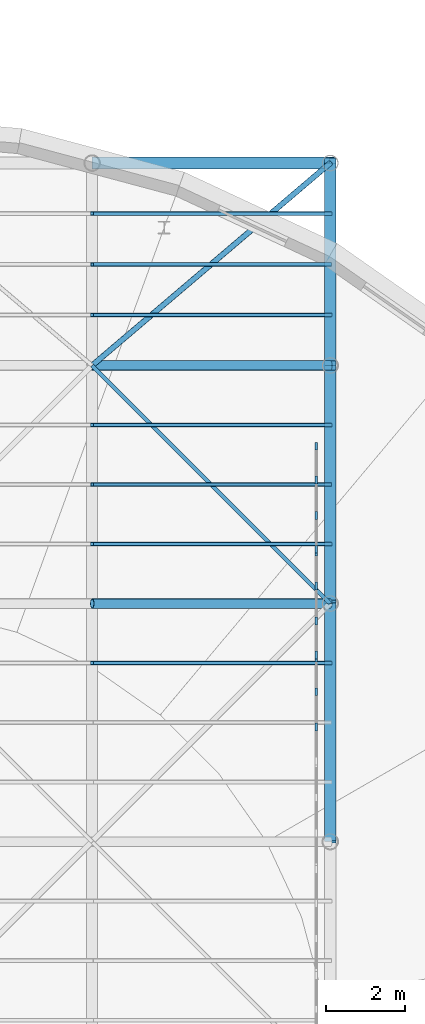
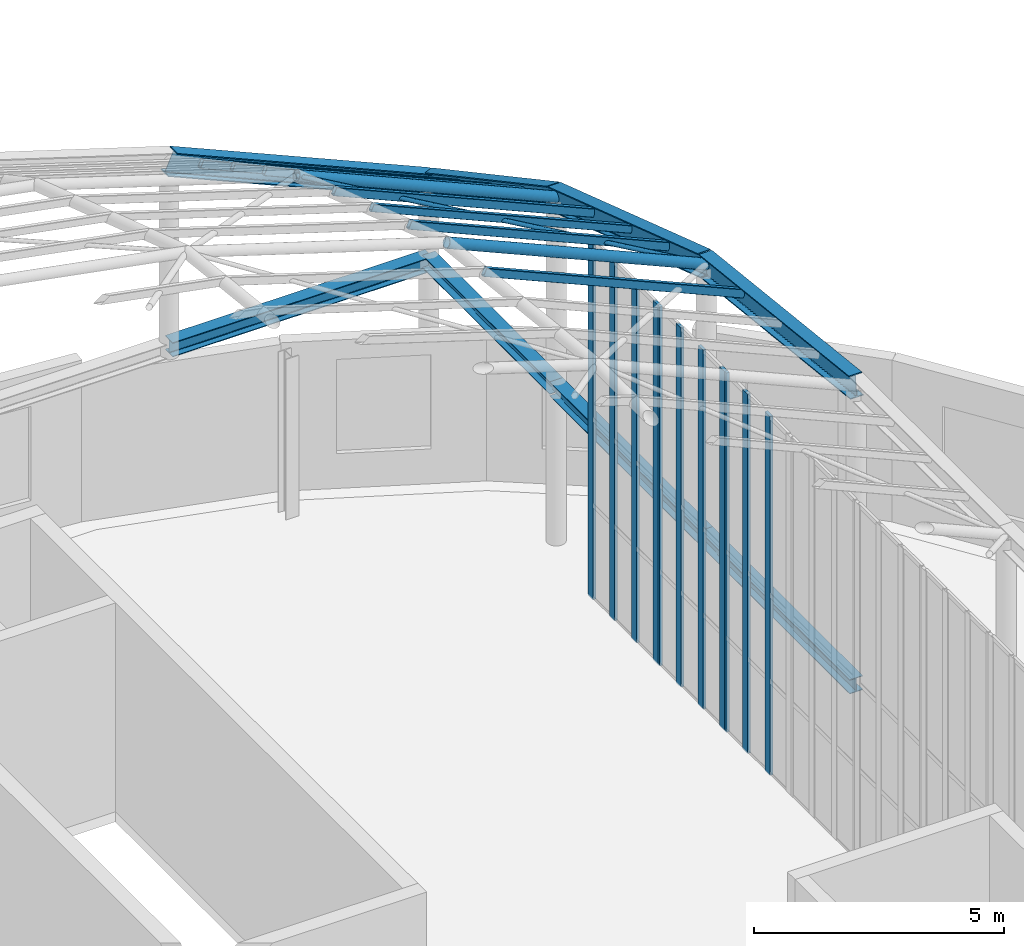
# One storey, part 40 of 75: 22 members, 8 beams, 3 elements without a shape of their own.
"""IFC4 building model written with IfcOpenShell, lengths in metres."""

from ifc_helpers import new_model, si_unit, direction, frame, origin, origin_2d, place, context, subcontext, project, spatial, rectangle, hollow_rectangle, hollow_circle, i_section, extrude, material, material_profile, profile_set, type_object, element, aggregate, save


model = new_model("IFC4")

# Units and contexts
model_context = context("Model", 3, precision=1e-05, world=origin(), true_north=direction((0.0, 1.0)))
body_context = subcontext(model_context, "Body", "Model", "MODEL_VIEW")
ifc_project = project(units=[si_unit("LENGTHUNIT", "METRE"), si_unit("AREAUNIT", "SQUARE_METRE"), si_unit("VOLUMEUNIT", "CUBIC_METRE"), si_unit("PLANEANGLEUNIT", "RADIAN"), si_unit("MASSUNIT", "GRAM", prefix="KILO")], contexts=[model_context])

# Site, building, storey
site_placement = place(None, origin())
site = spatial("IfcSite", under=ifc_project, at=site_placement, CompositionType="ELEMENT")
building_placement = place(site_placement, origin())
building = spatial("IfcBuilding", under=site, at=building_placement, Name="Kolvaren Corner Interchange", CompositionType="ELEMENT")
storey_placement = place(building_placement, frame((0.0, 0.0, 10.5)))
storey = spatial("IfcBuildingStorey", under=building, at=storey_placement, Name="L03", CompositionType="ELEMENT", Elevation=10.5)

# Beams
ifc_material_1 = material(Name="Steel S355", Category="steel")
ifc_material_profile_1 = material_profile(ifc_material_1, i_section(OverallWidth=0.300048828125, OverallDepth=0.31005859375, WebThickness=0.009033203125, FlangeThickness=0.015380859375, FilletRadius=0.027099609375, at=origin_2d()), Name="HEA 320")
ifc_profile_set_1 = profile_set([ifc_material_profile_1], Name="Steel S355")
beam_type_1 = type_object("IfcBeamType", Name="BM-HEA320", PredefinedType="BEAM", material=ifc_profile_set_1)
beam_1_placement = place(storey_placement, frame((132.0, 66.0, 3.794921875), z_axis=(0.0, 1.0, 0.0), x_axis=(-1.0, 0.0, 0.0)))
element("IfcBeam", 1, at=beam_1_placement, inside=storey, type_object=beam_type_1, Name="Storey L03 Grid Y Primary Girder 0940", PredefinedType="BEAM", context=body_context, shape_type="SweptSolid", body=[
    extrude(i_section(OverallWidth=0.300048828125, OverallDepth=0.31005859375, WebThickness=0.009033203125, FlangeThickness=0.015380859375, FilletRadius=0.027099609375, at=origin_2d()), origin(), (0.0, 0.0, 1.0), 5.10009765625),
])
ifc_material_2 = material(Name="Steel S355", Category="steel")
ifc_material_profile_2 = material_profile(ifc_material_2, i_section(OverallWidth=0.300048828125, OverallDepth=0.35009765625, WebThickness=0.010009765625, FlangeThickness=0.017578125, FilletRadius=0.027099609375, at=origin_2d()), Name="HEA 360")
ifc_profile_set_2 = profile_set([ifc_material_profile_2], Name="Steel S355")
beam_type_2 = type_object("IfcBeamType", Name="BM-HEA360", PredefinedType="BEAM", material=ifc_profile_set_2)
for number, where, z_axis, x_axis, name in (
    (2, (126.0, 71.10009765625, 3.77490234375), (1.0, 0.0, 0.0), (0.0, 1.0, 0.0), "Storey L03 Grid X Primary Girder 0886"),
    (3, (132.0, 54.0, 3.77490234375), (0.0, 1.0, 0.0), (-1.0, 0.0, 0.0), "Storey L03 Grid Y Primary Girder 0938"),
    (4, (132.0, 60.0, 3.77490234375), (0.0, 1.0, 0.0), (-1.0, 0.0, 0.0), "Storey L03 Grid Y Primary Girder 0939"),
):
    element("IfcBeam", number, at=place(storey_placement, frame(where, z_axis=z_axis, x_axis=x_axis)), inside=storey, type_object=beam_type_2, Name=name, PredefinedType="BEAM", context=body_context, shape_type="SweptSolid", body=[
        extrude(i_section(OverallWidth=0.300048828125, OverallDepth=0.35009765625, WebThickness=0.010009765625, FlangeThickness=0.017578125, FilletRadius=0.027099609375, at=origin_2d()), origin(), (0.0, 0.0, 1.0), 6.0),
    ])
ifc_material_3 = material(Name="Steel S355", Category="steel")
ifc_material_profile_3 = material_profile(ifc_material_3, i_section(OverallWidth=0.300048828125, OverallDepth=0.5400390625, WebThickness=0.012451171875, FlangeThickness=0.02392578125, FilletRadius=0.027099609375, at=origin_2d()), Name="HEA 550")
ifc_profile_set_3 = profile_set([ifc_material_profile_3], Name="Steel S355")
beam_type_3 = type_object("IfcBeamType", Name="BM-HEA550", PredefinedType="BEAM", material=ifc_profile_set_3)
beam_2_placement = place(storey_placement, frame((126.0, 71.10009765625, 8.2900390625), z_axis=(0.916157334902, 0.0, -0.40081883402), x_axis=(0.0, 1.0, 0.0)))
element("IfcBeam", 5, at=beam_2_placement, inside=storey, type_object=beam_type_3, Name="Concourse Translational Gridshell Eaves Ring Beam 028", PredefinedType="BEAM", context=body_context, shape_type="SweptSolid", body=[
    extrude(i_section(OverallWidth=0.300048828125, OverallDepth=0.5400390625, WebThickness=0.012451171875, FlangeThickness=0.02392578125, FilletRadius=0.027099609375, at=origin_2d()), origin(), (0.0, 0.0, 1.0), 6.549072265625),
])
beam_3_placement = place(storey_placement, frame((132.0, 54.0, 11.080078125), z_axis=(0.0, 0.993877815052, -0.110484789662), x_axis=(-1.0, 0.0, 0.0)))
element("IfcBeam", 6, at=beam_3_placement, inside=storey, type_object=beam_type_3, Name="Concourse Translational Gridshell Eaves Ring Beam 042", PredefinedType="BEAM", context=body_context, shape_type="SweptSolid", body=[
    extrude(i_section(OverallWidth=0.300048828125, OverallDepth=0.5400390625, WebThickness=0.012451171875, FlangeThickness=0.02392578125, FilletRadius=0.027099609375, at=origin_2d()), origin(), (0.0, 0.0, 1.0), 6.036865234375),
])
beam_4_placement = place(storey_placement, frame((132.0, 60.0, 10.4130859375), z_axis=(0.0, 0.948683298051, -0.316227766017), x_axis=(-1.0, 0.0, 0.0)))
element("IfcBeam", 7, at=beam_4_placement, inside=storey, type_object=beam_type_3, Name="Concourse Translational Gridshell Eaves Ring Beam 043", PredefinedType="BEAM", context=body_context, shape_type="SweptSolid", body=[
    extrude(i_section(OverallWidth=0.300048828125, OverallDepth=0.5400390625, WebThickness=0.012451171875, FlangeThickness=0.02392578125, FilletRadius=0.027099609375, at=origin_2d()), origin(), (0.0, 0.0, 1.0), 6.324462890625),
])
beam_5_placement = place(storey_placement, frame((132.0, 66.0, 8.4130859375), z_axis=(0.0, 0.880338454691, -0.474346081666), x_axis=(-1.0, 0.0, 0.0)))
element("IfcBeam", 8, at=beam_5_placement, inside=storey, type_object=beam_type_3, Name="Concourse Translational Gridshell Eaves Ring Beam 044", PredefinedType="BEAM", context=body_context, shape_type="SweptSolid", body=[
    extrude(i_section(OverallWidth=0.300048828125, OverallDepth=0.5400390625, WebThickness=0.012451171875, FlangeThickness=0.02392578125, FilletRadius=0.027099609375, at=origin_2d()), origin(), (0.0, 0.0, 1.0), 5.79345703125),
])

# Members
ifc_material_4 = material(Name="Steel S355", Category="steel")
ifc_material_profile_4 = material_profile(ifc_material_4, hollow_circle(Radius=0.05078125, WallThickness=0.00634765625, at=origin_2d()), Name="CHS 101.6x6.3")
ifc_profile_set_4 = profile_set([ifc_material_profile_4], Name="Steel S355")
member_type_1 = type_object("IfcMemberType", Name="MEM-BR-CHS102", PredefinedType="BRACE", material=ifc_profile_set_4)
member_1_placement = place(storey_placement, frame((126.0, 66.0, 11.0380859375), z_axis=(0.705196401132, -0.705196401132, -0.073457958451), x_axis=(0.707106781187, 0.707106781187, 0.0)))
element("IfcMember", 9, at=member_1_placement, inside=storey, type_object=member_type_1, Name="Concourse Translational Gridshell Nodal Diagonal Brace 0111", PredefinedType="BRACE", context=body_context, shape_type="SweptSolid", body=[
    extrude(hollow_circle(Radius=0.05078125, WallThickness=0.00634765625, at=origin_2d()), origin(), (0.0, 0.0, 1.0), 8.50830078125),
])
ifc_material_5 = material(Name="Steel S355", Category="steel")
ifc_material_profile_5 = material_profile(ifc_material_5, hollow_circle(Radius=0.06982421875, WallThickness=0.008056640625, at=origin_2d()), Name="CHS 139.7x8.0")
ifc_profile_set_5 = profile_set([ifc_material_profile_5], Name="Steel S355")
member_type_2 = type_object("IfcMemberType", Name="MEM-BR-CHS140", PredefinedType="BRACE", material=ifc_profile_set_5)
member_2_placement = place(storey_placement, frame((126.0, 66.0, 11.0380859375), z_axis=(0.629383841285, 0.534986508969, -0.563618146932), x_axis=(-0.647655619635, 0.761933198092, 0.0)))
element("IfcMember", 10, at=member_2_placement, inside=storey, type_object=member_type_2, Name="Concourse Translational Gridshell Nodal Diagonal Brace 0112", PredefinedType="BRACE", context=body_context, shape_type="SweptSolid", body=[
    extrude(hollow_circle(Radius=0.06982421875, WallThickness=0.008056640625, at=origin_2d()), origin(), (0.0, 0.0, 1.0), 9.533203125),
])
ifc_material_6 = material(Name="Steel S355", Category="steel")
ifc_material_profile_6 = material_profile(ifc_material_6, hollow_circle(Radius=0.122314453125, WallThickness=0.012451171875, at=origin_2d()), Name="CHS 244.5x12.5")
ifc_profile_set_6 = profile_set([ifc_material_profile_6], Name="Steel S355")
member_type_3 = type_object("IfcMemberType", Name="MEM-CH-CHS245", PredefinedType="CHORD", material=ifc_profile_set_6)
for number, where, z_axis, x_axis, name in (
    (11, (126.0, 60.0, 13.0380859375), (0.916157334902, 0.0, -0.40081883402), (0.0, 1.0, 0.0), "Concourse Translational Gridshell Longitudinal Arch Chord 0188"),
    (12, (126.0, 66.0, 11.0380859375), (0.916157334902, 0.0, -0.40081883402), (0.0, 1.0, 0.0), "Concourse Translational Gridshell Longitudinal Arch Chord 0202"),
):
    element("IfcMember", number, at=place(storey_placement, frame(where, z_axis=z_axis, x_axis=x_axis)), inside=storey, type_object=member_type_3, Name=name, PredefinedType="CHORD", context=body_context, shape_type="SweptSolid", body=[
        extrude(hollow_circle(Radius=0.122314453125, WallThickness=0.012451171875, at=origin_2d()), origin(), (0.0, 0.0, 1.0), 6.549072265625),
    ])
ifc_material_7 = material(Name="Steel S355", Category="steel")
ifc_material_profile_7 = material_profile(ifc_material_7, hollow_rectangle(XDim=0.10009765625, YDim=0.179931640625, WallThickness=0.008056640625, InnerFilletRadius=0.008056640625, OuterFilletRadius=0.01611328125, at=origin_2d()), Name="RHS 180x100x8.0")
ifc_profile_set_7 = profile_set([ifc_material_profile_7], Name="Steel S355")
member_type_4 = type_object("IfcMemberType", Name="MEM-PR-RHS180", PredefinedType="PURLIN", material=ifc_profile_set_7)
for number, where, z_axis, x_axis, name in (
    (13, (126.0, 63.0, 12.0859375), (0.916157334902, 0.0, -0.40081883402), (0.0, 1.0, 0.0), "Concourse Translational Gridshell Glazing Purlin 0111 Row 2"),
    (14, (126.0, 68.550048828125, 9.7119140625), (0.916157334902, 0.0, -0.40081883402), (0.0, 1.0, 0.0), "Concourse Translational Gridshell Glazing Purlin 0112 Row 2"),
):
    element("IfcMember", number, at=place(storey_placement, frame(where, z_axis=z_axis, x_axis=x_axis)), inside=storey, type_object=member_type_4, Name=name, PredefinedType="PURLIN", context=body_context, shape_type="SweptSolid", body=[
        extrude(hollow_rectangle(XDim=0.10009765625, YDim=0.179931640625, WallThickness=0.008056640625, InnerFilletRadius=0.008056640625, OuterFilletRadius=0.01611328125, at=origin_2d()), origin(), (0.0, 0.0, 1.0), 6.549072265625),
    ])
ifc_material_8 = material(Name="Steel S355", Category="steel")
ifc_material_profile_8 = material_profile(ifc_material_8, hollow_rectangle(XDim=0.10009765625, YDim=0.199951171875, WallThickness=0.008056640625, InnerFilletRadius=0.008056640625, OuterFilletRadius=0.01611328125, at=origin_2d()), Name="RHS 200x100x8.0")
ifc_profile_set_8 = profile_set([ifc_material_profile_8], Name="Steel S355")
member_type_5 = type_object("IfcMemberType", Name="MEM-PR-RHS200", PredefinedType="PURLIN", material=ifc_profile_set_8)
for number, where, z_axis, x_axis, name in (
    (15, (126.0, 58.5, 13.24267578125), (0.916157334902, 0.0, -0.40081883402), (0.0, 1.0, 0.0), "Concourse Translational Gridshell Glazing Purlin 0110 Row 3"),
    (16, (126.0, 61.5, 12.575927734375), (0.916157334902, 0.0, -0.40081883402), (0.0, 1.0, 0.0), "Concourse Translational Gridshell Glazing Purlin 0111 Row 1"),
    (17, (126.0, 64.5, 11.575927734375), (0.916157334902, 0.0, -0.40081883402), (0.0, 1.0, 0.0), "Concourse Translational Gridshell Glazing Purlin 0111 Row 3"),
    (18, (126.0, 67.27490234375, 10.388916015625), (0.916157334902, 0.0, -0.40081883402), (0.0, 1.0, 0.0), "Concourse Translational Gridshell Glazing Purlin 0112 Row 1"),
    (19, (126.0, 69.824951171875, 9.014892578125), (0.916157334902, 0.0, -0.40081883402), (0.0, 1.0, 0.0), "Concourse Translational Gridshell Glazing Purlin 0112 Row 3"),
):
    element("IfcMember", number, at=place(storey_placement, frame(where, z_axis=z_axis, x_axis=x_axis)), inside=storey, type_object=member_type_5, Name=name, PredefinedType="PURLIN", context=body_context, shape_type="SweptSolid", body=[
        extrude(hollow_rectangle(XDim=0.10009765625, YDim=0.199951171875, WallThickness=0.008056640625, InnerFilletRadius=0.008056640625, OuterFilletRadius=0.01611328125, at=origin_2d()), origin(), (0.0, 0.0, 1.0), 6.549072265625),
    ])

# Curtain wall, members
ifc_material_9 = material(Name="Unitised Aluminium and Solar-Control Glass Curtain Wall", Category="aluminium")
curtain_wall_type = type_object("IfcCurtainWallType", Name="CW-V1-CLER", PredefinedType="NOTDEFINED", material=ifc_material_9)
curtain_wall_1_placement = place(storey_placement, origin())
curtain_wall_1 = element("IfcCurtainWall", 20, at=curtain_wall_1_placement, inside=storey, type_object=curtain_wall_type, Name="Gridshell East End Curtain Wall Bay 10", PredefinedType="NOTDEFINED")
ifc_material_10 = material(Name="Anodised Aluminium Framing", Category="aluminium")
ifc_material_profile_9 = material_profile(ifc_material_10, rectangle(XDim=0.070068359375, YDim=0.199951171875, at=origin_2d()), Name="ALU 70x200")
ifc_profile_set_9 = profile_set([ifc_material_profile_9], Name="Anodised Aluminium Framing")
member_type_6 = type_object("IfcMemberType", Name="MUL-ALU70x200", PredefinedType="MULLION", material=ifc_profile_set_9)
member_3_placement = place(storey_placement, frame((131.64990234375, 56.888916015625, 0.0), z_axis=(0.0, 0.0, 1.0), x_axis=(-1.0, 0.0, 0.0)))
member_3 = element("IfcMember", 21, at=member_3_placement, type_object=member_type_6, Name="CW-103 mullion 2", PredefinedType="MULLION", context=body_context, shape_type="SweptSolid", body=[
    extrude(rectangle(XDim=0.070068359375, YDim=0.199951171875, at=origin_2d()), origin(), (0.0, 0.0, 1.0), 8.77197265625),
])
member_4_placement = place(storey_placement, frame((131.64990234375, 57.77783203125, 0.0), z_axis=(0.0, 0.0, 1.0), x_axis=(-1.0, 0.0, 0.0)))
member_4 = element("IfcMember", 22, at=member_4_placement, type_object=member_type_6, Name="CW-103 mullion 3", PredefinedType="MULLION", context=body_context, shape_type="SweptSolid", body=[
    extrude(rectangle(XDim=0.070068359375, YDim=0.199951171875, at=origin_2d()), origin(), (0.0, 0.0, 1.0), 8.77197265625),
])
member_5_placement = place(storey_placement, frame((131.64990234375, 58.631591796875, 0.0), z_axis=(0.0, 0.0, 1.0), x_axis=(-1.0, 0.0, 0.0)))
member_5 = element("IfcMember", 23, at=member_5_placement, type_object=member_type_6, Name="CW-103 mullion 4", PredefinedType="MULLION", context=body_context, shape_type="SweptSolid", body=[
    extrude(rectangle(XDim=0.070068359375, YDim=0.199951171875, at=origin_2d()), origin(), (0.0, 0.0, 1.0), 8.77197265625),
])
aggregate(curtain_wall_1, [member_3, member_4, member_5])

curtain_wall_2_placement = place(storey_placement, origin())
curtain_wall_2 = element("IfcCurtainWall", 24, at=curtain_wall_2_placement, inside=storey, type_object=curtain_wall_type, Name="Gridshell East End Curtain Wall Bay 11", PredefinedType="NOTDEFINED")
member_6_placement = place(storey_placement, frame((131.64990234375, 58.70166015625, 0.0), z_axis=(0.0, 0.0, 1.0), x_axis=(-1.0, 0.0, 0.0)))
member_6 = element("IfcMember", 25, at=member_6_placement, type_object=member_type_6, Name="CW-104 mullion 1", PredefinedType="MULLION", context=body_context, shape_type="SweptSolid", body=[
    extrude(rectangle(XDim=0.070068359375, YDim=0.199951171875, at=origin_2d()), origin(), (0.0, 0.0, 1.0), 8.77197265625),
])
member_7_placement = place(storey_placement, frame((131.64990234375, 59.5556640625, 0.0), z_axis=(0.0, 0.0, 1.0), x_axis=(-1.0, 0.0, 0.0)))
member_7 = element("IfcMember", 26, at=member_7_placement, type_object=member_type_6, Name="CW-104 mullion 2", PredefinedType="MULLION", context=body_context, shape_type="SweptSolid", body=[
    extrude(rectangle(XDim=0.070068359375, YDim=0.199951171875, at=origin_2d()), origin(), (0.0, 0.0, 1.0), 8.77197265625),
])
member_8_placement = place(storey_placement, frame((131.64990234375, 60.4443359375, 0.0), z_axis=(0.0, 0.0, 1.0), x_axis=(-1.0, 0.0, 0.0)))
member_8 = element("IfcMember", 27, at=member_8_placement, type_object=member_type_6, Name="CW-104 mullion 3", PredefinedType="MULLION", context=body_context, shape_type="SweptSolid", body=[
    extrude(rectangle(XDim=0.070068359375, YDim=0.199951171875, at=origin_2d()), origin(), (0.0, 0.0, 1.0), 8.77197265625),
])
member_9_placement = place(storey_placement, frame((131.64990234375, 61.29833984375, 0.0), z_axis=(0.0, 0.0, 1.0), x_axis=(-1.0, 0.0, 0.0)))
member_9 = element("IfcMember", 28, at=member_9_placement, type_object=member_type_6, Name="CW-104 mullion 4", PredefinedType="MULLION", context=body_context, shape_type="SweptSolid", body=[
    extrude(rectangle(XDim=0.070068359375, YDim=0.199951171875, at=origin_2d()), origin(), (0.0, 0.0, 1.0), 8.77197265625),
])
aggregate(curtain_wall_2, [member_6, member_7, member_8, member_9])

curtain_wall_3_placement = place(storey_placement, origin())
curtain_wall_3 = element("IfcCurtainWall", 29, at=curtain_wall_3_placement, inside=storey, type_object=curtain_wall_type, Name="Gridshell East End Curtain Wall Bay 12", PredefinedType="NOTDEFINED")
member_10_placement = place(storey_placement, frame((131.64990234375, 61.368408203125, 0.0), z_axis=(0.0, 0.0, 1.0), x_axis=(-1.0, 0.0, 0.0)))
member_10 = element("IfcMember", 30, at=member_10_placement, type_object=member_type_6, Name="CW-105 mullion 1", PredefinedType="MULLION", context=body_context, shape_type="SweptSolid", body=[
    extrude(rectangle(XDim=0.070068359375, YDim=0.199951171875, at=origin_2d()), origin(), (0.0, 0.0, 1.0), 8.77197265625),
])
member_11_placement = place(storey_placement, frame((131.64990234375, 62.22216796875, 0.0), z_axis=(0.0, 0.0, 1.0), x_axis=(-1.0, 0.0, 0.0)))
member_11 = element("IfcMember", 31, at=member_11_placement, type_object=member_type_6, Name="CW-105 mullion 2", PredefinedType="MULLION", context=body_context, shape_type="SweptSolid", body=[
    extrude(rectangle(XDim=0.070068359375, YDim=0.199951171875, at=origin_2d()), origin(), (0.0, 0.0, 1.0), 8.77197265625),
])
member_12_placement = place(storey_placement, frame((131.64990234375, 63.111083984375, 0.0), z_axis=(0.0, 0.0, 1.0), x_axis=(-1.0, 0.0, 0.0)))
member_12 = element("IfcMember", 32, at=member_12_placement, type_object=member_type_6, Name="CW-105 mullion 3", PredefinedType="MULLION", context=body_context, shape_type="SweptSolid", body=[
    extrude(rectangle(XDim=0.070068359375, YDim=0.199951171875, at=origin_2d()), origin(), (0.0, 0.0, 1.0), 8.77197265625),
])
member_13_placement = place(storey_placement, frame((131.64990234375, 63.965087890625, 0.0), z_axis=(0.0, 0.0, 1.0), x_axis=(-1.0, 0.0, 0.0)))
member_13 = element("IfcMember", 33, at=member_13_placement, type_object=member_type_6, Name="CW-105 mullion 4", PredefinedType="MULLION", context=body_context, shape_type="SweptSolid", body=[
    extrude(rectangle(XDim=0.070068359375, YDim=0.199951171875, at=origin_2d()), origin(), (0.0, 0.0, 1.0), 8.77197265625),
])
aggregate(curtain_wall_3, [member_10, member_11, member_12, member_13])

save(model, "model.ifc")
